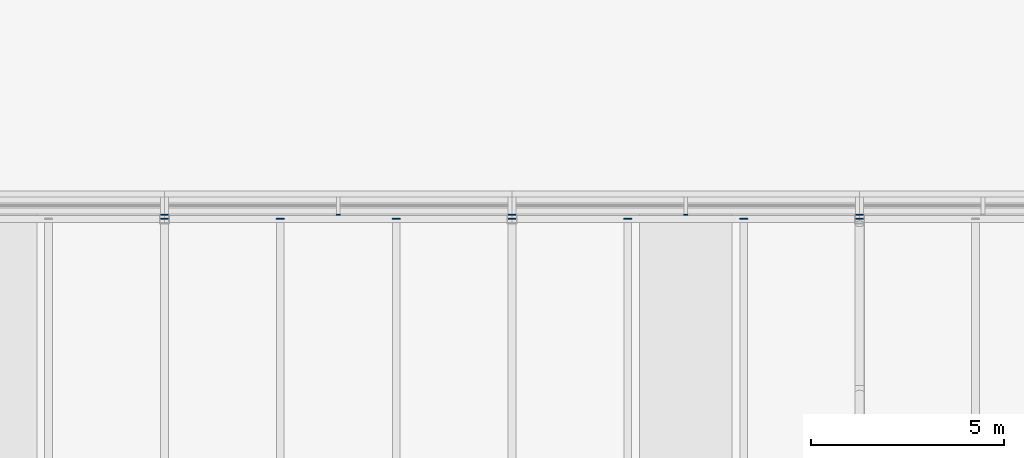
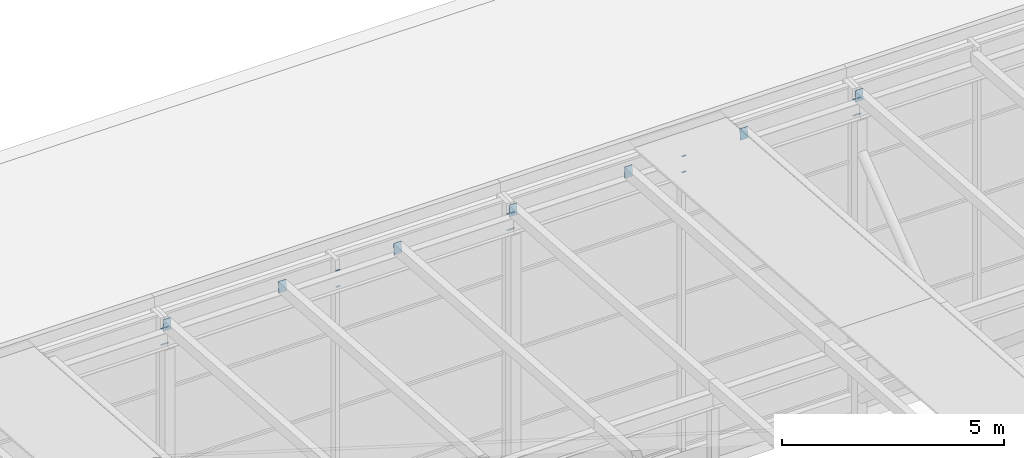
# One storey, part 80 of 84: 23 discrete accessories.
"""IFC4 building model written with IfcOpenShell, lengths in metres."""

from ifc_helpers import new_model, si_unit, direction, frame, origin, origin_2d, place, context, subcontext, project, spatial, rectangle, extrude, material, layer, layer_set, type_object, element, save


model = new_model("IFC4")

# Units and contexts
model_context = context("Model", 3, precision=1e-05, world=origin(), true_north=direction((0.0, 1.0)))
body_context = subcontext(model_context, "Body", "Model", "MODEL_VIEW")
ifc_project = project(units=[si_unit("LENGTHUNIT", "METRE"), si_unit("AREAUNIT", "SQUARE_METRE"), si_unit("VOLUMEUNIT", "CUBIC_METRE"), si_unit("PLANEANGLEUNIT", "RADIAN"), si_unit("MASSUNIT", "GRAM", prefix="KILO")], contexts=[model_context])

# Site, building, storey
site_placement = place(None, origin())
site = spatial("IfcSite", under=ifc_project, at=site_placement, CompositionType="ELEMENT")
building_placement = place(site_placement, origin())
building = spatial("IfcBuilding", under=site, at=building_placement, Name="Silverbay Arena", CompositionType="ELEMENT")
storey_placement = place(building_placement, frame((0.0, 0.0, 47.10009765625)))
storey = spatial("IfcBuildingStorey", under=building, at=storey_placement, Name="ROOF", CompositionType="ELEMENT", Elevation=47.10009765625)

# Discrete accessories
ifc_material_1 = material(Name="Steel S355", Category="steel")
ifc_layer = layer(ifc_material_1, 0.011962890625)
ifc_layer_set = layer_set([ifc_layer], Name="Steel S355")
discrete_accessory_type_1 = type_object("IfcDiscreteAccessoryType", Name="Purlin end plate 12", PredefinedType="USERDEFINED", material=ifc_layer_set)
for number, where, z_axis, x_axis, name in (
    (1, (153.0, 135.0, 8.74951171875), (0.0, 0.996684615823, -0.081362009455), (-1.0, 0.0, 0.0), "Purlin end plate"),
    (2, (156.0, 135.0, 8.74951171875), (0.0, 0.996684615823, -0.081362009455), (-1.0, 0.0, 0.0), "Purlin end plate"),
    (3, (159.0, 135.0, 8.74951171875), (0.0, 0.996684615823, -0.081362009455), (-1.0, 0.0, 0.0), "Purlin end plate"),
    (4, (162.0, 135.0, 8.74951171875), (0.0, 0.996684615823, -0.081362009455), (-1.0, 0.0, 0.0), "Purlin end plate"),
    (5, (165.0, 135.0, 8.74951171875), (0.0, 0.996684615823, -0.081362009455), (-1.0, 0.0, 0.0), "Purlin end plate"),
    (6, (168.0, 135.0, 8.74951171875), (0.0, 0.996684615823, -0.081362009455), (-1.0, 0.0, 0.0), "Purlin end plate"),
    (7, (171.0, 135.0, 8.74951171875), (0.0, 0.996684615823, -0.081362009455), (-1.0, 0.0, 0.0), "Purlin end plate"),
):
    element("IfcDiscreteAccessory", number, at=place(storey_placement, frame(where, z_axis=z_axis, x_axis=x_axis)), inside=storey, type_object=discrete_accessory_type_1, Name=name, ObjectType="END PLATE", PredefinedType="USERDEFINED", context=body_context, shape_type="SweptSolid", body=[
        extrude(rectangle(XDim=0.199951171875, YDim=0.300048828125, at=origin_2d()), origin(), (0.0, 0.0, 1.0), 0.011962890625),
    ])
ifc_material_2 = material(Name="Steel S355", Category="steel")
discrete_accessory_type_2 = type_object("IfcDiscreteAccessoryType", Name="Steel bracket plate", PredefinedType="BRACKET", material=ifc_material_2)
for number, where, z_axis, x_axis, name in (
    (8, (152.949951171875, 135.10986328125, 8.58642578125), (0.0, 0.0, 1.0), (1.0, 0.0, 0.0), "Curtain wall packing plate"),
    (9, (152.949951171875, 135.10986328125, 8.145751953125), (0.0, 0.0, 1.0), (1.0, 0.0, 0.0), "Curtain wall packing plate"),
    (10, (153.050048828125, 135.10986328125, 8.58642578125), (0.0, 0.0, 1.0), (1.0, 0.0, 0.0), "Curtain wall packing plate"),
    (11, (153.050048828125, 135.10986328125, 8.145751953125), (0.0, 0.0, 1.0), (1.0, 0.0, 0.0), "Curtain wall packing plate"),
    (12, (157.5, 135.10986328125, 8.58642578125), (0.0, 0.0, 1.0), (1.0, 0.0, 0.0), "Curtain wall packing plate"),
    (13, (157.5, 135.10986328125, 8.145751953125), (0.0, 0.0, 1.0), (1.0, 0.0, 0.0), "Curtain wall packing plate"),
    (14, (161.949951171875, 135.10986328125, 8.58642578125), (0.0, 0.0, 1.0), (1.0, 0.0, 0.0), "Curtain wall packing plate"),
    (15, (161.949951171875, 135.10986328125, 8.145751953125), (0.0, 0.0, 1.0), (1.0, 0.0, 0.0), "Curtain wall packing plate"),
    (16, (162.050048828125, 135.10986328125, 8.58642578125), (0.0, 0.0, 1.0), (1.0, 0.0, 0.0), "Curtain wall packing plate"),
    (17, (162.050048828125, 135.10986328125, 8.145751953125), (0.0, 0.0, 1.0), (1.0, 0.0, 0.0), "Curtain wall packing plate"),
    (18, (166.5, 135.10986328125, 8.58642578125), (0.0, 0.0, 1.0), (1.0, 0.0, 0.0), "Curtain wall packing plate"),
    (19, (166.5, 135.10986328125, 8.145751953125), (0.0, 0.0, 1.0), (1.0, 0.0, 0.0), "Curtain wall packing plate"),
    (20, (170.949951171875, 135.10986328125, 8.58642578125), (0.0, 0.0, 1.0), (1.0, 0.0, 0.0), "Curtain wall packing plate"),
    (21, (170.949951171875, 135.10986328125, 8.145751953125), (0.0, 0.0, 1.0), (1.0, 0.0, 0.0), "Curtain wall packing plate"),
    (22, (171.050048828125, 135.10986328125, 8.58642578125), (0.0, 0.0, 1.0), (1.0, 0.0, 0.0), "Curtain wall packing plate"),
    (23, (171.050048828125, 135.10986328125, 8.145751953125), (0.0, 0.0, 1.0), (1.0, 0.0, 0.0), "Curtain wall packing plate"),
):
    element("IfcDiscreteAccessory", number, at=place(storey_placement, frame(where, z_axis=z_axis, x_axis=x_axis)), inside=storey, type_object=discrete_accessory_type_2, Name=name, PredefinedType="BRACKET", context=body_context, shape_type="SweptSolid", body=[
        extrude(rectangle(XDim=0.10009765625, YDim=0.030029296875, at=origin_2d()), origin(), (0.0, 0.0, 1.0), 0.0126953125),
    ])

save(model, "model.ifc")
